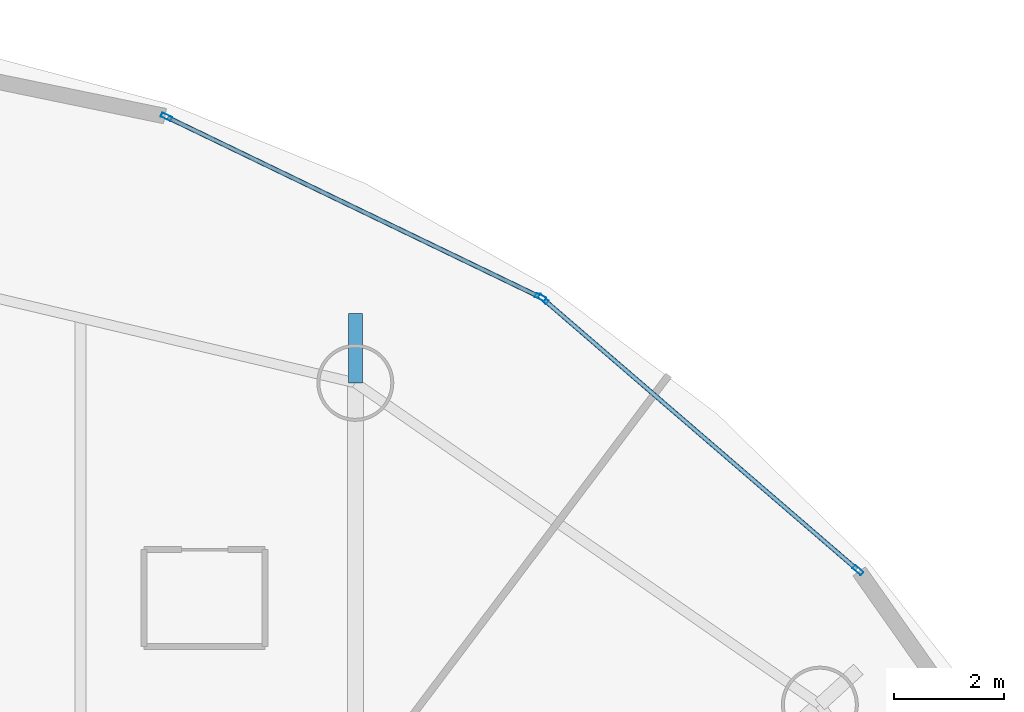
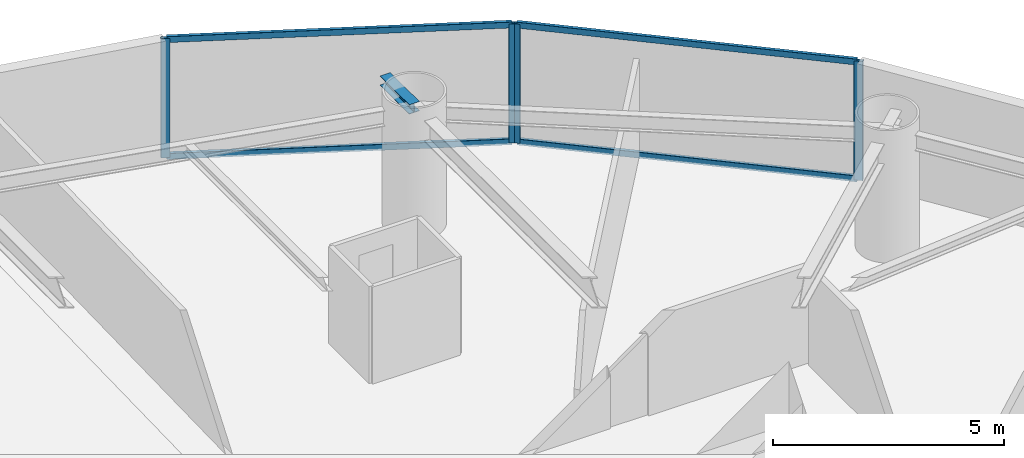
# One storey, part 14 of 21: 8 members, 1 beam, 2 elements without a shape of their own.
"""IFC4 building model written with IfcOpenShell, lengths in metres."""

from ifc_helpers import new_model, si_unit, direction, frame, origin, origin_2d, place, context, subcontext, project, spatial, hollow_rectangle, i_section, extrude, material, layer, layer_set, material_profile, profile_set, type_object, element, aggregate, save


model = new_model("IFC4")

# Units and contexts
model_context = context("Model", 3, precision=1e-05, world=origin(), true_north=direction((0.0, 1.0)))
body_context = subcontext(model_context, "Body", "Model", "MODEL_VIEW")
ifc_project = project(units=[si_unit("LENGTHUNIT", "METRE"), si_unit("AREAUNIT", "SQUARE_METRE"), si_unit("VOLUMEUNIT", "CUBIC_METRE"), si_unit("PLANEANGLEUNIT", "RADIAN"), si_unit("MASSUNIT", "GRAM", prefix="KILO")], contexts=[model_context])

# Site, building, storey
site_placement = place(None, origin())
site = spatial("IfcSite", under=ifc_project, at=site_placement, CompositionType="ELEMENT")
building_placement = place(site_placement, origin())
building = spatial("IfcBuilding", under=site, at=building_placement, Name="Bramvorn Convention Spire", CompositionType="ELEMENT")
storey_placement = place(building_placement, frame((0.0, 0.0, 162.300048828125)))
storey = spatial("IfcBuildingStorey", under=building, at=storey_placement, Name="L41", CompositionType="ELEMENT", Elevation=162.300048828125)

# Beam
ifc_material_1 = material(Name="Steel CSA G40.21 Grade 350 (350W)", Category="steel")
ifc_material_profile_1 = material_profile(ifc_material_1, i_section(OverallWidth=0.25390625, OverallDepth=0.2529296875, WebThickness=0.008544921875, FlangeThickness=0.01416015625, FilletRadius=0.011962890625, at=origin_2d()))
ifc_profile_set_1 = profile_set([ifc_material_profile_1], Name="Steel CSA G40.21 Grade 350 (350W) - W250X73")
beam_type = type_object("IfcBeamType", Name="BM-W250X73", PredefinedType="BEAM", material=ifc_profile_set_1)
beam_placement = place(storey_placement, frame((46.082763671875, 44.154052734375, 3.0234375), z_axis=(0.0, 1.0, 0.0), x_axis=(-1.0, 0.0, 0.0)))
element("IfcBeam", 1, at=beam_placement, inside=storey, type_object=beam_type, Name="L41 slab-edge cantilever tip beam MC05", PredefinedType="BEAM", context=body_context, shape_type="SweptSolid", body=[
    extrude(i_section(OverallWidth=0.25390625, OverallDepth=0.2529296875, WebThickness=0.008544921875, FlangeThickness=0.01416015625, FilletRadius=0.011962890625, at=origin_2d()), origin(), (0.0, 0.0, 1.0), 1.262451171875),
])

# Curtain wall, members
ifc_material_2 = material(Name="Anodised Bronze Unitised Curtain Wall", Category="aluminium")
ifc_layer = layer(ifc_material_2, 0.179931640625)
ifc_layer_set = layer_set([ifc_layer], Name="Anodised Bronze Unitised Curtain Wall - CW-HTL-FRIT")
curtain_wall_type = type_object("IfcCurtainWallType", Name="CW-HTL-FRIT", PredefinedType="USERDEFINED", material=ifc_layer_set)
curtain_wall_1_placement = place(storey_placement, origin())
curtain_wall_1 = element("IfcCurtainWall", 2, at=curtain_wall_1_placement, inside=storey, type_object=curtain_wall_type, Name="L41 fritted glass curtain wall 06", ObjectType="UNITISED CURTAIN WALL", PredefinedType="USERDEFINED")
ifc_material_3 = material(Name="Anodised Bronze Aluminium 6063-T6", Category="aluminium")
ifc_material_profile_2 = material_profile(ifc_material_3, hollow_rectangle(XDim=0.080078125, YDim=0.199951171875, WallThickness=0.00390625, InnerFilletRadius=0.0009765625, OuterFilletRadius=0.00390625, at=origin_2d()))
ifc_profile_set_2 = profile_set([ifc_material_profile_2], Name="Anodised Bronze Aluminium 6063-T6 - CWM80X200")
member_type_1 = type_object("IfcMemberType", Name="CW-MUL-180", PredefinedType="MULLION", material=ifc_profile_set_2)
member_1_placement = place(storey_placement, frame((49.501708984375, 45.677734375, 0.0), z_axis=(0.0, 0.0, 1.0), x_axis=(0.652735223559, 0.757586119148, 0.0)))
member_1 = element("IfcMember", 3, at=member_1_placement, type_object=member_type_1, Name="CW2 mullion 1", PredefinedType="MULLION", context=body_context, shape_type="SweptSolid", body=[
    extrude(hollow_rectangle(XDim=0.080078125, YDim=0.199951171875, WallThickness=0.00390625, InnerFilletRadius=0.0009765625, OuterFilletRadius=0.00390625, at=origin_2d()), origin(), (0.0, 0.0, 1.0), 3.14990234375),
])
member_2_placement = place(storey_placement, frame((55.227294921875, 40.74462890625, 0.0), z_axis=(0.0, 0.0, 1.0), x_axis=(0.652735223559, 0.757586119148, 0.0)))
member_2 = element("IfcMember", 4, at=member_2_placement, type_object=member_type_1, Name="CW2 mullion 2", PredefinedType="MULLION", context=body_context, shape_type="SweptSolid", body=[
    extrude(hollow_rectangle(XDim=0.080078125, YDim=0.199951171875, WallThickness=0.00390625, InnerFilletRadius=0.0009765625, OuterFilletRadius=0.00390625, at=origin_2d()), origin(), (0.0, 0.0, 1.0), 3.14990234375),
])

curtain_wall_2_placement = place(storey_placement, origin())
curtain_wall_2 = element("IfcCurtainWall", 5, at=curtain_wall_2_placement, inside=storey, type_object=curtain_wall_type, Name="L41 fritted glass curtain wall 07", ObjectType="UNITISED CURTAIN WALL", PredefinedType="USERDEFINED")
member_3_placement = place(storey_placement, frame((42.645263671875, 48.99365234375, 0.0), z_axis=(0.0, 0.0, 1.0), x_axis=(0.434476641571, 0.900683100724, 0.0)))
member_3 = element("IfcMember", 6, at=member_3_placement, type_object=member_type_1, Name="CW2 mullion 1", PredefinedType="MULLION", context=body_context, shape_type="SweptSolid", body=[
    extrude(hollow_rectangle(XDim=0.080078125, YDim=0.199951171875, WallThickness=0.00390625, InnerFilletRadius=0.0009765625, OuterFilletRadius=0.00390625, at=origin_2d()), origin(), (0.0, 0.0, 1.0), 3.14990234375),
])
member_4_placement = place(storey_placement, frame((49.4521484375, 45.710205078125, 0.0), z_axis=(0.0, 0.0, 1.0), x_axis=(0.434476641571, 0.900683100724, 0.0)))
member_4 = element("IfcMember", 7, at=member_4_placement, type_object=member_type_1, Name="CW2 mullion 2", PredefinedType="MULLION", context=body_context, shape_type="SweptSolid", body=[
    extrude(hollow_rectangle(XDim=0.080078125, YDim=0.199951171875, WallThickness=0.00390625, InnerFilletRadius=0.0009765625, OuterFilletRadius=0.00390625, at=origin_2d()), origin(), (0.0, 0.0, 1.0), 3.14990234375),
])

# Member
ifc_material_profile_3 = material_profile(ifc_material_3, hollow_rectangle(XDim=0.080078125, YDim=0.159912109375, WallThickness=0.00390625, InnerFilletRadius=0.0009765625, OuterFilletRadius=0.00390625, at=origin_2d()))
ifc_profile_set_3 = profile_set([ifc_material_profile_3], Name="Anodised Bronze Aluminium 6063-T6 - CWT80X160")
member_type_2 = type_object("IfcMemberType", Name="CW-TRN-150", PredefinedType="USERDEFINED", material=ifc_profile_set_3)
member_5_placement = place(storey_placement, frame((49.524658203125, 45.657958984375, 0.030029296875), z_axis=(0.7575876329, -0.652733466644, 0.0), x_axis=(0.652733466644, 0.7575876329, 0.0)))
member_5 = element("IfcMember", 8, at=member_5_placement, type_object=member_type_2, Name="CW2 transom 1.1", ObjectType="TRANSOM", PredefinedType="USERDEFINED", context=body_context, shape_type="SweptSolid", body=[
    extrude(hollow_rectangle(XDim=0.080078125, YDim=0.159912109375, WallThickness=0.00390625, InnerFilletRadius=0.0009765625, OuterFilletRadius=0.00390625, at=origin_2d()), origin(), (0.0, 0.0, 1.0), 7.497314453125),
])

member_6_placement = place(storey_placement, frame((49.524658203125, 45.657958984375, 3.119873046875), z_axis=(0.7575876329, -0.652733466644, 0.0), x_axis=(0.652733466644, 0.7575876329, 0.0)))
member_6 = element("IfcMember", 9, at=member_6_placement, type_object=member_type_2, Name="CW2 transom 1.2", ObjectType="TRANSOM", PredefinedType="USERDEFINED", context=body_context, shape_type="SweptSolid", body=[
    extrude(hollow_rectangle(XDim=0.080078125, YDim=0.159912109375, WallThickness=0.00390625, InnerFilletRadius=0.0009765625, OuterFilletRadius=0.00390625, at=origin_2d()), origin(), (0.0, 0.0, 1.0), 7.497314453125),
])

aggregate(curtain_wall_1, [member_1, member_2, member_5, member_6])

member_7_placement = place(storey_placement, frame((42.672119140625, 48.980712890625, 0.030029296875), z_axis=(0.900693145132, -0.434455818596, 0.0), x_axis=(0.434455818596, 0.900693145132, 0.0)))
member_7 = element("IfcMember", 10, at=member_7_placement, type_object=member_type_2, Name="CW2 transom 1.1", ObjectType="TRANSOM", PredefinedType="USERDEFINED", context=body_context, shape_type="SweptSolid", body=[
    extrude(hollow_rectangle(XDim=0.080078125, YDim=0.159912109375, WallThickness=0.00390625, InnerFilletRadius=0.0009765625, OuterFilletRadius=0.00390625, at=origin_2d()), origin(), (0.0, 0.0, 1.0), 7.49755859375),
])

member_8_placement = place(storey_placement, frame((42.672119140625, 48.980712890625, 3.119873046875), z_axis=(0.900693145132, -0.434455818596, 0.0), x_axis=(0.434455818596, 0.900693145132, 0.0)))
member_8 = element("IfcMember", 11, at=member_8_placement, type_object=member_type_2, Name="CW2 transom 1.2", ObjectType="TRANSOM", PredefinedType="USERDEFINED", context=body_context, shape_type="SweptSolid", body=[
    extrude(hollow_rectangle(XDim=0.080078125, YDim=0.159912109375, WallThickness=0.00390625, InnerFilletRadius=0.0009765625, OuterFilletRadius=0.00390625, at=origin_2d()), origin(), (0.0, 0.0, 1.0), 7.49755859375),
])

aggregate(curtain_wall_2, [member_3, member_4, member_7, member_8])

save(model, "model.ifc")
